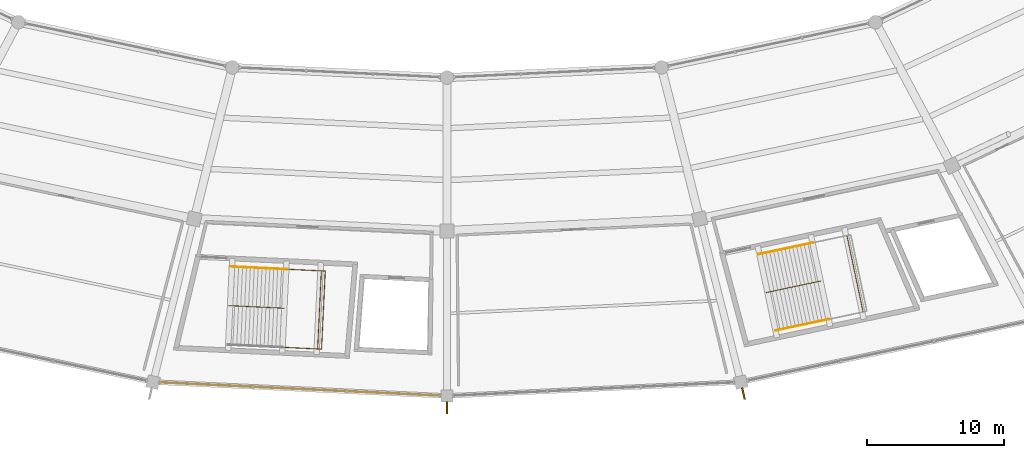
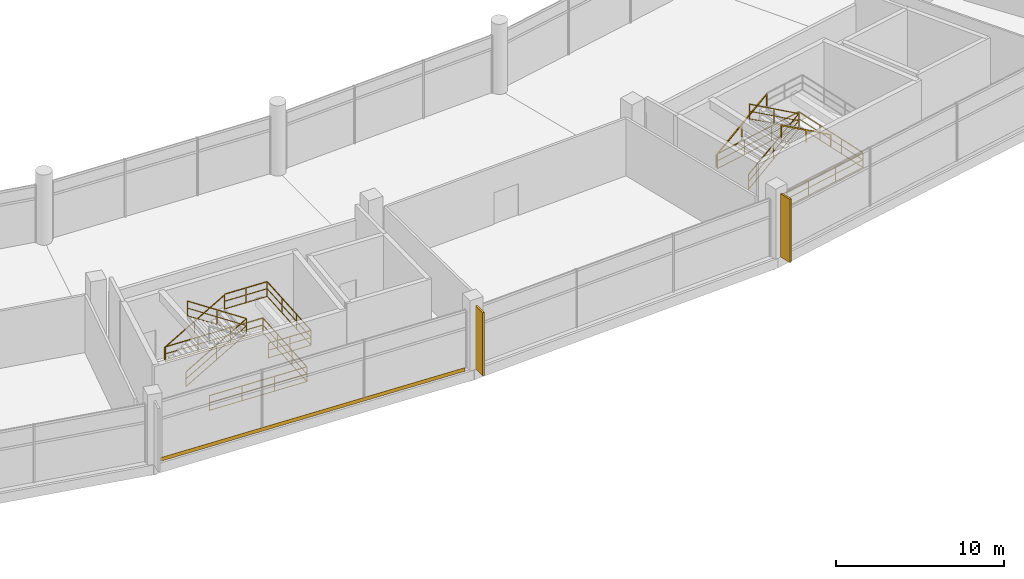
# One storey, part 178 of 184: 8 railings, 2 shading devices, 1 covering.
"""IFC4 building model written with IfcOpenShell, lengths in metres."""

from ifc_helpers import new_model, si_unit, direction, frame, origin, origin_2d, place, context, subcontext, project, spatial, rectangle, extrude, material, layer, layer_set, type_object, element, save


model = new_model("IFC4")

# Units and contexts
model_context = context("Model", 3, precision=1e-05, world=origin(), true_north=direction((0.0, 1.0)))
body_context = subcontext(model_context, "Body", "Model", "MODEL_VIEW")
ifc_project = project(units=[si_unit("LENGTHUNIT", "METRE"), si_unit("AREAUNIT", "SQUARE_METRE"), si_unit("VOLUMEUNIT", "CUBIC_METRE"), si_unit("PLANEANGLEUNIT", "RADIAN"), si_unit("MASSUNIT", "GRAM", prefix="KILO")], contexts=[model_context])

# Site, building, storey
site_placement = place(None, origin())
site = spatial("IfcSite", under=ifc_project, at=site_placement, CompositionType="ELEMENT")
building_placement = place(site_placement, origin())
building = spatial("IfcBuilding", under=site, at=building_placement, Name="Kazemori Nagisa Stadium", CompositionType="ELEMENT")
storey_placement = place(building_placement, frame((0.0, 0.0, 10.5400390625)))
storey = spatial("IfcBuildingStorey", under=building, at=storey_placement, Name="L02", CompositionType="ELEMENT", Elevation=10.5400390625)

# Covering
ifc_material_1 = material(Name="Anodised aluminium 6063-T5", Category="aluminium")
ifc_layer = layer(ifc_material_1, 0.034912109375, Name="Anodised aluminium 6063-T5", Category="aluminium")
ifc_layer_set = layer_set([ifc_layer], Name="Anodised aluminium 6063-T5")
covering_type = type_object("IfcCoveringType", Name="Covering_CLAD", PredefinedType="CLADDING", material=ifc_layer_set)
covering_placement = place(storey_placement, frame((112.2861328125, 16.506591796875, -0.26025390625), z_axis=(0.0, 0.0, 1.0), x_axis=(0.998884022476, -0.047230388971, 0.0)))
element("IfcCovering", 1, at=covering_placement, inside=storey, type_object=covering_type, Name="Anodised fascia cladding L02-B21", PredefinedType="CLADDING", context=body_context, shape_type="SweptSolid", body=[
    extrude(rectangle(XDim=20.3515625, YDim=0.0400390625, at=origin_2d()), origin(), (0.0, 0.0, 1.0), 0.260009765625),
])

# Shading devices
ifc_material_2 = material(Name="Aluminium 6063-T5 anodised", Category="aluminium")
shading_device_type = type_object("IfcShadingDeviceType", Name="Fin_FN02", PredefinedType="USERDEFINED", material=ifc_material_2)
for number, where, z_axis, x_axis, name in (
    (2, (123.0, 15.14501953125, 0.0), (0.0, 0.0, 1.0), (0.0, -1.0, 0.0), "Aerodynamic wave shading fin L02-22"),
    (3, (144.617919921875, 16.1796875, 0.0), (0.0, 0.0, 1.0), (0.222520933954, -0.974927912182, 0.0), "Aerodynamic wave shading fin L02-23"),
):
    element("IfcShadingDevice", number, at=place(storey_placement, frame(where, z_axis=z_axis, x_axis=x_axis)), inside=storey, type_object=shading_device_type, Name=name, ObjectType="FIN", PredefinedType="USERDEFINED", context=body_context, shape_type="SweptSolid", body=[
        extrude(rectangle(XDim=0.85009765625, YDim=0.1201171875, at=origin_2d()), origin(), (0.0, 0.0, 1.0), 4.60009765625),
    ])

# Railings
ifc_material_3 = material(Name="Galvanised powder-coated steel", Category="steel")
railing_type_1 = type_object("IfcRailingType", Name="Rail_GUARD", PredefinedType="GUARDRAIL", material=ifc_material_3)
railing_1_placement = place(storey_placement, frame((107.32470703125, 25.434814453125, 0.0)))
element("IfcRailing", 4, at=railing_1_placement, inside=storey, type_object=railing_type_1, Name="Stair well perimeter guard ST12-L02", PredefinedType="GUARDRAIL", context=body_context, shape_type="SweptSolid", body=[
    extrude(rectangle(XDim=0.050048828125, YDim=0.050048828125, at=origin_2d()), frame((0.0, 0.0, 1.09521484375), z_axis=(0.998884584463, -0.047218501914, 0.0), x_axis=(0.047218501914, 0.998884584463, 0.0)), (0.0, 0.0, 1.0), 6.525146484375),
    extrude(rectangle(XDim=0.03759765625, YDim=0.03759765625, at=origin_2d()), frame((0.0, 0.0, 0.58251953125), z_axis=(0.998884584463, -0.047218501914, 0.0), x_axis=(0.047218501914, 0.998884584463, 0.0)), (0.0, 0.0, 1.0), 6.525146484375),
    extrude(rectangle(XDim=0.03759765625, YDim=0.03759765625, at=origin_2d()), frame((0.0, 0.0, 0.02490234375), z_axis=(0.998884584463, -0.047218501914, 0.0), x_axis=(0.047218501914, 0.998884584463, 0.0)), (0.0, 0.0, 1.0), 6.525146484375),
    extrude(rectangle(XDim=0.050048828125, YDim=0.050048828125, at=origin_2d()), frame((6.517822265625, -0.30810546875, 1.09521484375), z_axis=(-0.047243616775, -0.998883396936, 0.0), x_axis=(0.998883396936, -0.047243616775, 0.0)), (0.0, 0.0, 1.0), 5.699951171875),
    extrude(rectangle(XDim=0.03759765625, YDim=0.03759765625, at=origin_2d()), frame((6.517822265625, -0.30810546875, 0.58251953125), z_axis=(-0.047243616775, -0.998883396936, 0.0), x_axis=(0.998883396936, -0.047243616775, 0.0)), (0.0, 0.0, 1.0), 5.699951171875),
    extrude(rectangle(XDim=0.03759765625, YDim=0.03759765625, at=origin_2d()), frame((6.517822265625, -0.30810546875, 0.02490234375), z_axis=(-0.047243616775, -0.998883396936, 0.0), x_axis=(0.998883396936, -0.047243616775, 0.0)), (0.0, 0.0, 1.0), 5.699951171875),
    extrude(rectangle(XDim=0.050048828125, YDim=0.050048828125, at=origin_2d()), frame((6.24853515625, -6.001708984375, 1.09521484375), z_axis=(-0.998884501037, 0.047220266718, 0.0), x_axis=(-0.047220266718, -0.998884501037, 0.0)), (0.0, 0.0, 1.0), 6.52490234375),
    extrude(rectangle(XDim=0.03759765625, YDim=0.03759765625, at=origin_2d()), frame((6.24853515625, -6.001708984375, 0.58251953125), z_axis=(-0.998884501037, 0.047220266718, 0.0), x_axis=(-0.047220266718, -0.998884501037, 0.0)), (0.0, 0.0, 1.0), 6.52490234375),
    extrude(rectangle(XDim=0.03759765625, YDim=0.03759765625, at=origin_2d()), frame((6.24853515625, -6.001708984375, 0.02490234375), z_axis=(-0.998884501037, 0.047220266718, 0.0), x_axis=(-0.047220266718, -0.998884501037, 0.0)), (0.0, 0.0, 1.0), 6.52490234375),
    extrude(rectangle(XDim=0.044921875, YDim=0.044921875, at=origin_2d()), origin(), (0.0, 0.0, 1.0), 1.070068359375),
    extrude(rectangle(XDim=0.044921875, YDim=0.044921875, at=origin_2d()), frame((2.172607421875, -0.102783203125, 0.0)), (0.0, 0.0, 1.0), 1.070068359375),
    extrude(rectangle(XDim=0.044921875, YDim=0.044921875, at=origin_2d()), frame((4.34521484375, -0.205322265625, 0.0)), (0.0, 0.0, 1.0), 1.070068359375),
    extrude(rectangle(XDim=0.044921875, YDim=0.044921875, at=origin_2d()), frame((6.517822265625, -0.30810546875, 0.0)), (0.0, 0.0, 1.0), 1.070068359375),
    extrude(rectangle(XDim=0.044921875, YDim=0.044921875, at=origin_2d()), frame((6.427978515625, -2.2060546875, 0.0)), (0.0, 0.0, 1.0), 1.070068359375),
    extrude(rectangle(XDim=0.044921875, YDim=0.044921875, at=origin_2d()), frame((6.33837890625, -4.103759765625, 0.0)), (0.0, 0.0, 1.0), 1.070068359375),
    extrude(rectangle(XDim=0.044921875, YDim=0.044921875, at=origin_2d()), frame((6.24853515625, -6.001708984375, 0.0)), (0.0, 0.0, 1.0), 1.070068359375),
    extrude(rectangle(XDim=0.044921875, YDim=0.044921875, at=origin_2d()), frame((4.075927734375, -5.89892578125, 0.0)), (0.0, 0.0, 1.0), 1.070068359375),
    extrude(rectangle(XDim=0.044921875, YDim=0.044921875, at=origin_2d()), frame((1.903564453125, -5.79638671875, 0.0)), (0.0, 0.0, 1.0), 1.070068359375),
    extrude(rectangle(XDim=0.044921875, YDim=0.044921875, at=origin_2d()), frame((-0.26904296875, -5.693603515625, 0.0)), (0.0, 0.0, 1.0), 1.070068359375),
])
railing_2_placement = place(storey_placement, frame((107.1103515625, 22.591796875, 0.0)))
element("IfcRailing", 5, at=railing_2_placement, inside=storey, type_object=railing_type_1, Name="Stair central guard ST12-L02", PredefinedType="GUARDRAIL", context=body_context, shape_type="SweptSolid", body=[
    extrude(rectangle(XDim=0.050048828125, YDim=0.050048828125, at=origin_2d()), frame((0.0, 0.0, 1.09521484375), z_axis=(0.844685270329, -0.039911621763, 0.53377322576), x_axis=(0.047197630277, 0.998885570872, 0.0)), (0.0, 0.0, 1.0), 4.77734375),
    extrude(rectangle(XDim=0.03759765625, YDim=0.03759765625, at=origin_2d()), frame((0.0, 0.0, 0.58251953125), z_axis=(0.844685270329, -0.039911621763, 0.53377322576), x_axis=(0.047197630277, 0.998885570872, 0.0)), (0.0, 0.0, 1.0), 4.77734375),
    extrude(rectangle(XDim=0.03759765625, YDim=0.03759765625, at=origin_2d()), frame((0.0, 0.0, 0.02490234375), z_axis=(0.844685270329, -0.039911621763, 0.53377322576), x_axis=(0.047197630277, 0.998885570872, 0.0)), (0.0, 0.0, 1.0), 4.77734375),
    extrude(rectangle(XDim=0.050048828125, YDim=0.050048828125, at=origin_2d()), frame((4.035400390625, -0.190673828125, 3.64501953125), z_axis=(-0.839844161595, 0.039706247857, 0.541373436841), x_axis=(-0.047225363734, -0.998884260072, 0.0)), (0.0, 0.0, 1.0), 4.7099609375),
    extrude(rectangle(XDim=0.03759765625, YDim=0.03759765625, at=origin_2d()), frame((4.035400390625, -0.190673828125, 3.132568359375), z_axis=(-0.839844161595, 0.039706247857, 0.541373436841), x_axis=(-0.047225363734, -0.998884260072, 0.0)), (0.0, 0.0, 1.0), 4.7099609375),
    extrude(rectangle(XDim=0.03759765625, YDim=0.03759765625, at=origin_2d()), frame((4.035400390625, -0.190673828125, 2.5751953125), z_axis=(-0.839844161595, 0.039706247857, 0.541373436841), x_axis=(-0.047225363734, -0.998884260072, 0.0)), (0.0, 0.0, 1.0), 4.7099609375),
    extrude(rectangle(XDim=0.044921875, YDim=0.044921875, at=origin_2d()), origin(), (0.0, 0.0, 1.0), 1.070068359375),
    extrude(rectangle(XDim=0.044921875, YDim=0.044921875, at=origin_2d()), frame((2.017578125, -0.09521484375, 1.27490234375)), (0.0, 0.0, 1.0), 1.070068359375),
    extrude(rectangle(XDim=0.044921875, YDim=0.044921875, at=origin_2d()), frame((4.035400390625, -0.190673828125, 2.550048828125)), (0.0, 0.0, 1.0), 1.070068359375),
    extrude(rectangle(XDim=0.044921875, YDim=0.044921875, at=origin_2d()), frame((2.0576171875, -0.09716796875, 3.824951171875)), (0.0, 0.0, 1.0), 1.070068359375),
    extrude(rectangle(XDim=0.044921875, YDim=0.044921875, at=origin_2d()), frame((0.079833984375, -0.003662109375, 5.099853515625)), (0.0, 0.0, 1.0), 1.070068359375),
])
railing_3_placement = place(storey_placement, frame((111.2802734375, 25.247802734375, 2.550048828125)))
element("IfcRailing", 6, at=railing_3_placement, inside=storey, type_object=railing_type_1, Name="Stair landing guard ST12-L02", PredefinedType="GUARDRAIL", context=body_context, shape_type="SweptSolid", body=[
    extrude(rectangle(XDim=0.050048828125, YDim=0.050048828125, at=origin_2d()), frame((0.0, 0.0, 1.09521484375), z_axis=(0.998885512722, -0.047198860948, 0.0), x_axis=(0.047198860948, 0.998885512722, 0.0)), (0.0, 0.0, 1.0), 2.85009765625),
    extrude(rectangle(XDim=0.03759765625, YDim=0.03759765625, at=origin_2d()), frame((0.0, 0.0, 0.58251953125), z_axis=(0.998885512722, -0.047198860948, 0.0), x_axis=(0.047198860948, 0.998885512722, 0.0)), (0.0, 0.0, 1.0), 2.85009765625),
    extrude(rectangle(XDim=0.03759765625, YDim=0.03759765625, at=origin_2d()), frame((0.0, 0.0, 0.02490234375), z_axis=(0.998885512722, -0.047198860948, 0.0), x_axis=(0.047198860948, 0.998885512722, 0.0)), (0.0, 0.0, 1.0), 2.85009765625),
    extrude(rectangle(XDim=0.050048828125, YDim=0.050048828125, at=origin_2d()), frame((2.846923828125, -0.134521484375, 1.09521484375), z_axis=(-0.047243616775, -0.998883396936, 0.0), x_axis=(0.998883396936, -0.047243616775, 0.0)), (0.0, 0.0, 1.0), 5.699951171875),
    extrude(rectangle(XDim=0.03759765625, YDim=0.03759765625, at=origin_2d()), frame((2.846923828125, -0.134521484375, 0.58251953125), z_axis=(-0.047243616775, -0.998883396936, 0.0), x_axis=(0.998883396936, -0.047243616775, 0.0)), (0.0, 0.0, 1.0), 5.699951171875),
    extrude(rectangle(XDim=0.03759765625, YDim=0.03759765625, at=origin_2d()), frame((2.846923828125, -0.134521484375, 0.02490234375), z_axis=(-0.047243616775, -0.998883396936, 0.0), x_axis=(0.998883396936, -0.047243616775, 0.0)), (0.0, 0.0, 1.0), 5.699951171875),
    extrude(rectangle(XDim=0.050048828125, YDim=0.050048828125, at=origin_2d()), frame((2.57763671875, -5.828125, 1.09521484375), z_axis=(-0.998885321869, 0.047202899858, 0.0), x_axis=(-0.047202899858, -0.998885321869, 0.0)), (0.0, 0.0, 1.0), 2.849853515625),
    extrude(rectangle(XDim=0.03759765625, YDim=0.03759765625, at=origin_2d()), frame((2.57763671875, -5.828125, 0.58251953125), z_axis=(-0.998885321869, 0.047202899858, 0.0), x_axis=(-0.047202899858, -0.998885321869, 0.0)), (0.0, 0.0, 1.0), 2.849853515625),
    extrude(rectangle(XDim=0.03759765625, YDim=0.03759765625, at=origin_2d()), frame((2.57763671875, -5.828125, 0.02490234375), z_axis=(-0.998885321869, 0.047202899858, 0.0), x_axis=(-0.047202899858, -0.998885321869, 0.0)), (0.0, 0.0, 1.0), 2.849853515625),
    extrude(rectangle(XDim=0.044921875, YDim=0.044921875, at=origin_2d()), origin(), (0.0, 0.0, 1.0), 1.070068359375),
    extrude(rectangle(XDim=0.044921875, YDim=0.044921875, at=origin_2d()), frame((1.42333984375, -0.0673828125, 0.0)), (0.0, 0.0, 1.0), 1.070068359375),
    extrude(rectangle(XDim=0.044921875, YDim=0.044921875, at=origin_2d()), frame((2.846923828125, -0.134521484375, 0.0)), (0.0, 0.0, 1.0), 1.070068359375),
    extrude(rectangle(XDim=0.044921875, YDim=0.044921875, at=origin_2d()), frame((2.757080078125, -2.032470703125, 0.0)), (0.0, 0.0, 1.0), 1.070068359375),
    extrude(rectangle(XDim=0.044921875, YDim=0.044921875, at=origin_2d()), frame((2.66748046875, -3.93017578125, 0.0)), (0.0, 0.0, 1.0), 1.070068359375),
    extrude(rectangle(XDim=0.044921875, YDim=0.044921875, at=origin_2d()), frame((2.57763671875, -5.828125, 0.0)), (0.0, 0.0, 1.0), 1.070068359375),
    extrude(rectangle(XDim=0.044921875, YDim=0.044921875, at=origin_2d()), frame((1.154296875, -5.7607421875, 0.0)), (0.0, 0.0, 1.0), 1.070068359375),
    extrude(rectangle(XDim=0.044921875, YDim=0.044921875, at=origin_2d()), frame((-0.26904296875, -5.693603515625, 0.0)), (0.0, 0.0, 1.0), 1.070068359375),
])
railing_4_placement = place(storey_placement, frame((145.77685546875, 26.353271484375, 0.0)))
element("IfcRailing", 7, at=railing_4_placement, inside=storey, type_object=railing_type_1, Name="Stair well perimeter guard ST06-L02", PredefinedType="GUARDRAIL", context=body_context, shape_type="SweptSolid", body=[
    extrude(rectangle(XDim=0.050048828125, YDim=0.050048828125, at=origin_2d()), frame((0.0, 0.0, 1.09521484375), z_axis=(0.978352034103, 0.20694757154, 0.0), x_axis=(-0.20694757154, 0.978352034103, 0.0)), (0.0, 0.0, 1.0), 6.525146484375),
    extrude(rectangle(XDim=0.03759765625, YDim=0.03759765625, at=origin_2d()), frame((0.0, 0.0, 0.58251953125), z_axis=(0.978352034103, 0.20694757154, 0.0), x_axis=(-0.20694757154, 0.978352034103, 0.0)), (0.0, 0.0, 1.0), 6.525146484375),
    extrude(rectangle(XDim=0.03759765625, YDim=0.03759765625, at=origin_2d()), frame((0.0, 0.0, 0.02490234375), z_axis=(0.978352034103, 0.20694757154, 0.0), x_axis=(-0.20694757154, 0.978352034103, 0.0)), (0.0, 0.0, 1.0), 6.525146484375),
    extrude(rectangle(XDim=0.050048828125, YDim=0.050048828125, at=origin_2d()), frame((6.3837890625, 1.350341796875, 1.09521484375), z_axis=(0.206968840618, -0.978347534884, 0.0), x_axis=(0.978347534884, 0.206968840618, 0.0)), (0.0, 0.0, 1.0), 5.699951171875),
    extrude(rectangle(XDim=0.03759765625, YDim=0.03759765625, at=origin_2d()), frame((6.3837890625, 1.350341796875, 0.58251953125), z_axis=(0.206968840618, -0.978347534884, 0.0), x_axis=(0.978347534884, 0.206968840618, 0.0)), (0.0, 0.0, 1.0), 5.699951171875),
    extrude(rectangle(XDim=0.03759765625, YDim=0.03759765625, at=origin_2d()), frame((6.3837890625, 1.350341796875, 0.02490234375), z_axis=(0.206968840618, -0.978347534884, 0.0), x_axis=(0.978347534884, 0.206968840618, 0.0)), (0.0, 0.0, 1.0), 5.699951171875),
    extrude(rectangle(XDim=0.050048828125, YDim=0.050048828125, at=origin_2d()), frame((7.5634765625, -4.22607421875, 1.09521484375), z_axis=(-0.978342854937, -0.206990961621, 0.0), x_axis=(0.206990961621, -0.978342854937, 0.0)), (0.0, 0.0, 1.0), 6.52490234375),
    extrude(rectangle(XDim=0.03759765625, YDim=0.03759765625, at=origin_2d()), frame((7.5634765625, -4.22607421875, 0.58251953125), z_axis=(-0.978342854937, -0.206990961621, 0.0), x_axis=(0.206990961621, -0.978342854937, 0.0)), (0.0, 0.0, 1.0), 6.52490234375),
    extrude(rectangle(XDim=0.03759765625, YDim=0.03759765625, at=origin_2d()), frame((7.5634765625, -4.22607421875, 0.02490234375), z_axis=(-0.978342854937, -0.206990961621, 0.0), x_axis=(0.206990961621, -0.978342854937, 0.0)), (0.0, 0.0, 1.0), 6.52490234375),
    extrude(rectangle(XDim=0.044921875, YDim=0.044921875, at=origin_2d()), origin(), (0.0, 0.0, 1.0), 1.070068359375),
    extrude(rectangle(XDim=0.044921875, YDim=0.044921875, at=origin_2d()), frame((2.1279296875, 0.4501953125, 0.0)), (0.0, 0.0, 1.0), 1.070068359375),
    extrude(rectangle(XDim=0.044921875, YDim=0.044921875, at=origin_2d()), frame((4.255859375, 0.900146484375, 0.0)), (0.0, 0.0, 1.0), 1.070068359375),
    extrude(rectangle(XDim=0.044921875, YDim=0.044921875, at=origin_2d()), frame((6.3837890625, 1.350341796875, 0.0)), (0.0, 0.0, 1.0), 1.070068359375),
    extrude(rectangle(XDim=0.044921875, YDim=0.044921875, at=origin_2d()), frame((6.777099609375, -0.508544921875, 0.0)), (0.0, 0.0, 1.0), 1.070068359375),
    extrude(rectangle(XDim=0.044921875, YDim=0.044921875, at=origin_2d()), frame((7.170166015625, -2.3671875, 0.0)), (0.0, 0.0, 1.0), 1.070068359375),
    extrude(rectangle(XDim=0.044921875, YDim=0.044921875, at=origin_2d()), frame((7.5634765625, -4.22607421875, 0.0)), (0.0, 0.0, 1.0), 1.070068359375),
    extrude(rectangle(XDim=0.044921875, YDim=0.044921875, at=origin_2d()), frame((5.435546875, -4.67626953125, 0.0)), (0.0, 0.0, 1.0), 1.070068359375),
    extrude(rectangle(XDim=0.044921875, YDim=0.044921875, at=origin_2d()), frame((3.307861328125, -5.12646484375, 0.0)), (0.0, 0.0, 1.0), 1.070068359375),
    extrude(rectangle(XDim=0.044921875, YDim=0.044921875, at=origin_2d()), frame((1.179931640625, -5.57666015625, 0.0)), (0.0, 0.0, 1.0), 1.070068359375),
])
railing_5_placement = place(storey_placement, frame((146.28857421875, 23.54833984375, 0.0)))
element("IfcRailing", 8, at=railing_5_placement, inside=storey, type_object=railing_type_1, Name="Stair central guard ST06-L02", PredefinedType="GUARDRAIL", context=body_context, shape_type="SweptSolid", body=[
    extrude(rectangle(XDim=0.050048828125, YDim=0.050048828125, at=origin_2d()), frame((0.0, 0.0, 1.09521484375), z_axis=(0.827313905968, 0.175029348813, 0.533775634556), x_axis=(-0.20698195116, 0.978344761265, 0.0)), (0.0, 0.0, 1.0), 4.77734375),
    extrude(rectangle(XDim=0.03759765625, YDim=0.03759765625, at=origin_2d()), frame((0.0, 0.0, 0.58251953125), z_axis=(0.827313905968, 0.175029348813, 0.533775634556), x_axis=(-0.20698195116, 0.978344761265, 0.0)), (0.0, 0.0, 1.0), 4.77734375),
    extrude(rectangle(XDim=0.03759765625, YDim=0.03759765625, at=origin_2d()), frame((0.0, 0.0, 0.02490234375), z_axis=(0.827313905968, 0.175029348813, 0.533775634556), x_axis=(-0.20698195116, 0.978344761265, 0.0)), (0.0, 0.0, 1.0), 4.77734375),
    extrude(rectangle(XDim=0.050048828125, YDim=0.050048828125, at=origin_2d()), frame((3.952392578125, 0.836181640625, 3.64501953125), z_axis=(-0.822579458703, -0.174012177382, 0.54137121852), x_axis=(0.206964265166, -0.978348502807, 0.0)), (0.0, 0.0, 1.0), 4.7099609375),
    extrude(rectangle(XDim=0.03759765625, YDim=0.03759765625, at=origin_2d()), frame((3.952392578125, 0.836181640625, 3.132568359375), z_axis=(-0.822579458703, -0.174012177382, 0.54137121852), x_axis=(0.206964265166, -0.978348502807, 0.0)), (0.0, 0.0, 1.0), 4.7099609375),
    extrude(rectangle(XDim=0.03759765625, YDim=0.03759765625, at=origin_2d()), frame((3.952392578125, 0.836181640625, 2.5751953125), z_axis=(-0.822579458703, -0.174012177382, 0.54137121852), x_axis=(0.206964265166, -0.978348502807, 0.0)), (0.0, 0.0, 1.0), 4.7099609375),
    extrude(rectangle(XDim=0.044921875, YDim=0.044921875, at=origin_2d()), origin(), (0.0, 0.0, 1.0), 1.070068359375),
    extrude(rectangle(XDim=0.044921875, YDim=0.044921875, at=origin_2d()), frame((1.97607421875, 0.41796875, 1.27490234375)), (0.0, 0.0, 1.0), 1.070068359375),
    extrude(rectangle(XDim=0.044921875, YDim=0.044921875, at=origin_2d()), frame((3.952392578125, 0.836181640625, 2.550048828125)), (0.0, 0.0, 1.0), 1.070068359375),
    extrude(rectangle(XDim=0.044921875, YDim=0.044921875, at=origin_2d()), frame((2.01513671875, 0.42626953125, 3.824951171875)), (0.0, 0.0, 1.0), 1.070068359375),
    extrude(rectangle(XDim=0.044921875, YDim=0.044921875, at=origin_2d()), frame((0.078125, 0.0166015625, 5.099853515625)), (0.0, 0.0, 1.0), 1.070068359375),
])
ifc_material_4 = material(Name="Stainless steel SUS304", Category="steel")
railing_type_2 = type_object("IfcRailingType", Name="Rail_HAND", PredefinedType="HANDRAIL", material=ifc_material_4)
railing_6_placement = place(storey_placement, frame((107.244873046875, 25.438720703125, 0.169921875)))
element("IfcRailing", 9, at=railing_6_placement, inside=storey, type_object=railing_type_2, Name="Stair handrail ST12-L02-F1", PredefinedType="HANDRAIL", context=body_context, shape_type="SweptSolid", body=[
    extrude(rectangle(XDim=0.050048828125, YDim=0.050048828125, at=origin_2d()), frame((0.0, 0.0, 0.875), z_axis=(0.8446835464, -0.039962643432, 0.533772136375), x_axis=(0.047257927704, 0.998882719977, 0.0)), (0.0, 0.0, 1.0), 4.77734375),
    extrude(rectangle(XDim=0.044921875, YDim=0.044921875, at=origin_2d()), origin(), (0.0, 0.0, 1.0), 0.849853515625),
    extrude(rectangle(XDim=0.044921875, YDim=0.044921875, at=origin_2d()), frame((2.017578125, -0.095458984375, 1.27490234375)), (0.0, 0.0, 1.0), 0.849853515625),
    extrude(rectangle(XDim=0.044921875, YDim=0.044921875, at=origin_2d()), frame((4.035400390625, -0.19091796875, 2.550048828125)), (0.0, 0.0, 1.0), 0.849853515625),
])
railing_7_placement = place(storey_placement, frame((145.69873046875, 26.336669921875, 0.169921875)))
element("IfcRailing", 10, at=railing_7_placement, inside=storey, type_object=railing_type_2, Name="Stair handrail ST06-L02-F1", PredefinedType="HANDRAIL", context=body_context, shape_type="SweptSolid", body=[
    extrude(rectangle(XDim=0.050048828125, YDim=0.050048828125, at=origin_2d()), frame((0.0, 0.0, 0.875), z_axis=(0.827313905968, 0.175029348813, 0.533775634556), x_axis=(-0.20698195116, 0.978344761265, 0.0)), (0.0, 0.0, 1.0), 4.77734375),
    extrude(rectangle(XDim=0.044921875, YDim=0.044921875, at=origin_2d()), origin(), (0.0, 0.0, 1.0), 0.849853515625),
    extrude(rectangle(XDim=0.044921875, YDim=0.044921875, at=origin_2d()), frame((1.97607421875, 0.41796875, 1.27490234375)), (0.0, 0.0, 1.0), 0.849853515625),
    extrude(rectangle(XDim=0.044921875, YDim=0.044921875, at=origin_2d()), frame((3.952392578125, 0.836181640625, 2.550048828125)), (0.0, 0.0, 1.0), 0.849853515625),
])
railing_8_placement = place(storey_placement, frame((150.8310546875, 21.59619140625, 2.719970703125)))
element("IfcRailing", 11, at=railing_8_placement, inside=storey, type_object=railing_type_2, Name="Stair handrail ST06-L02-F2", PredefinedType="HANDRAIL", context=body_context, shape_type="SweptSolid", body=[
    extrude(rectangle(XDim=0.050048828125, YDim=0.050048828125, at=origin_2d()), frame((0.0, 0.0, 0.875), z_axis=(-0.822556375088, -0.174007294169, 0.54140786047), x_axis=(0.206964265166, -0.978348502807, 0.0)), (0.0, 0.0, 1.0), 4.7099609375),
    extrude(rectangle(XDim=0.044921875, YDim=0.044921875, at=origin_2d()), origin(), (0.0, 0.0, 1.0), 0.849853515625),
    extrude(rectangle(XDim=0.044921875, YDim=0.044921875, at=origin_2d()), frame((-1.93701171875, -0.40966796875, 1.27490234375)), (0.0, 0.0, 1.0), 0.849853515625),
    extrude(rectangle(XDim=0.044921875, YDim=0.044921875, at=origin_2d()), frame((-3.874267578125, -0.819580078125, 2.550048828125)), (0.0, 0.0, 1.0), 0.849853515625),
])

save(model, "model.ifc")
